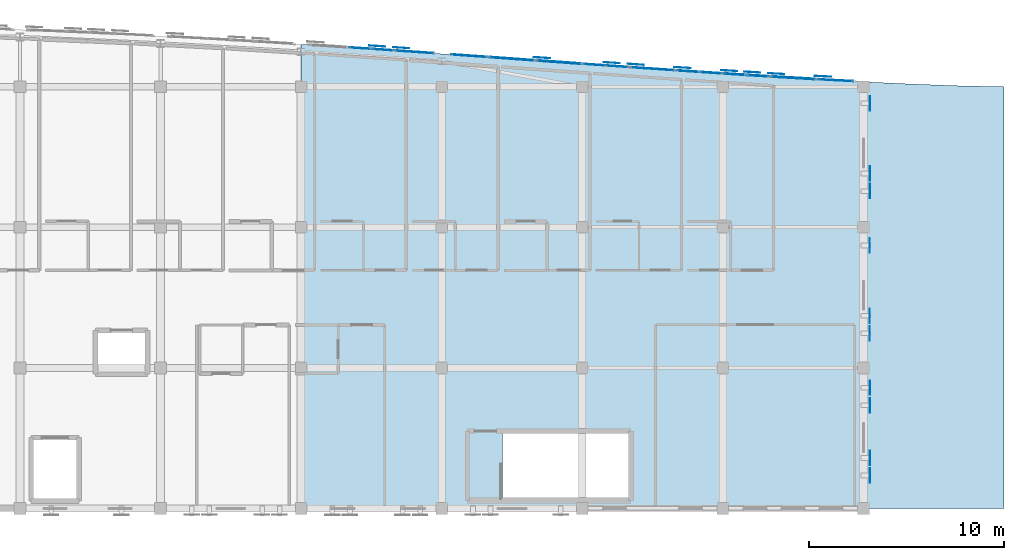
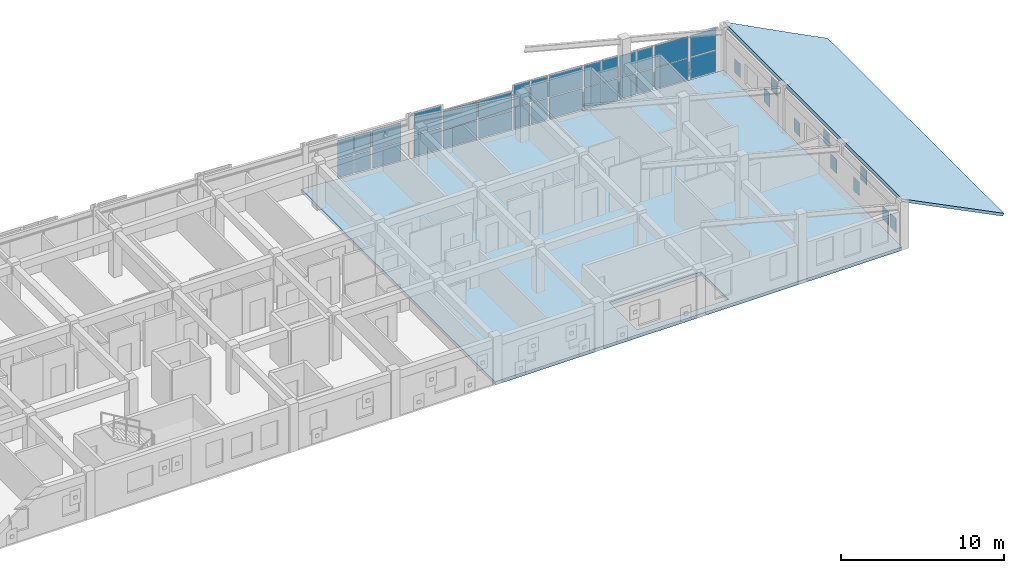
# One storey, part 32 of 45: 50 plates, 2 slabs, 11 elements without a shape of their own.
"""IFC4 building model written with IfcOpenShell, lengths in metres."""

from ifc_helpers import new_model, si_unit, direction, frame, origin, origin_2d, place, context, subcontext, project, spatial, polyline, rectangle, outline, extrude, material, layer, layer_set, type_object, element, aggregate, save


model = new_model("IFC4")

# Units and contexts
model_context = context("Model", 3, precision=1e-05, world=origin(), true_north=direction((0.0, 1.0)))
body_context = subcontext(model_context, "Body", "Model", "MODEL_VIEW")
ifc_project = project(units=[si_unit("LENGTHUNIT", "METRE"), si_unit("AREAUNIT", "SQUARE_METRE"), si_unit("VOLUMEUNIT", "CUBIC_METRE"), si_unit("PLANEANGLEUNIT", "RADIAN"), si_unit("MASSUNIT", "GRAM", prefix="KILO")], contexts=[model_context])

# Site, building, storey
site_placement = place(None, origin())
site = spatial("IfcSite", under=ifc_project, at=site_placement, CompositionType="ELEMENT")
building_placement = place(site_placement, origin())
building = spatial("IfcBuilding", under=site, at=building_placement, Name="Carrowvane Square Congress Hotel", CompositionType="ELEMENT")
storey_placement = place(building_placement, frame((0.0, 0.0, 33.60009765625)))
storey = spatial("IfcBuildingStorey", under=building, at=storey_placement, Name="L08", CompositionType="ELEMENT", Elevation=33.60009765625)

# Curtain wall, plates
ifc_material_1 = material(Name="Anodised aluminium", Category="aluminium")
ifc_layer_1 = layer(ifc_material_1, 0.24609375)
ifc_layer_set_1 = layer_set([ifc_layer_1], Name="Anodised aluminium")
curtain_wall_type_1 = type_object("IfcCurtainWallType", Name="CW-SYS-8", PredefinedType="NOTDEFINED", material=ifc_layer_set_1)
curtain_wall_1_placement = place(storey_placement, origin())
curtain_wall_1 = element("IfcCurtainWall", 1, at=curtain_wall_1_placement, inside=storey, type_object=curtain_wall_type_1, Name="L08 unitised curtain wall 495", PredefinedType="NOTDEFINED")
ifc_material_2 = material(Name="Double-glazed low-E glass", Category="glass")
ifc_layer_2 = layer(ifc_material_2, 0.028076171875)
ifc_layer_set_2 = layer_set([ifc_layer_2], Name="Double-glazed low-E glass")
plate_type_1 = type_object("IfcPlateType", Name="CW-PAN-1", PredefinedType="CURTAIN_PANEL", material=ifc_layer_set_2)
plate_1_placement = place(storey_placement, frame((129.8173828125, 115.375, 0.06982421875), z_axis=(0.0, 0.0, 1.0), x_axis=(0.99769420292, -0.067869562107, 0.0)))
plate_1 = element("IfcPlate", 2, at=plate_1_placement, type_object=plate_type_1, Name="CW-8 panel 1.1", PredefinedType="CURTAIN_PANEL", context=body_context, shape_type="SweptSolid", body=[
    extrude(rectangle(XDim=1.09765625, YDim=0.028076171875, at=origin_2d()), origin(), (0.0, 0.0, 1.0), 1.36279296875),
])
plate_2_placement = place(storey_placement, frame((129.8173828125, 115.375, 1.502685546875), z_axis=(0.0, 0.0, 1.0), x_axis=(0.99769420292, -0.067869562107, 0.0)))
plate_2 = element("IfcPlate", 3, at=plate_2_placement, type_object=plate_type_1, Name="CW-8 panel 1.2", PredefinedType="CURTAIN_PANEL", context=body_context, shape_type="SweptSolid", body=[
    extrude(rectangle(XDim=1.09765625, YDim=0.028076171875, at=origin_2d()), origin(), (0.0, 0.0, 1.0), 1.36279296875),
])
plate_3_placement = place(storey_placement, frame((130.982421875, 115.295654296875, 0.06982421875), z_axis=(0.0, 0.0, 1.0), x_axis=(0.99769420292, -0.067869562107, 0.0)))
plate_3 = element("IfcPlate", 4, at=plate_3_placement, type_object=plate_type_1, Name="CW-8 panel 2.1", PredefinedType="CURTAIN_PANEL", context=body_context, shape_type="SweptSolid", body=[
    extrude(rectangle(XDim=1.09765625, YDim=0.028076171875, at=origin_2d()), origin(), (0.0, 0.0, 1.0), 1.36279296875),
])
plate_4_placement = place(storey_placement, frame((130.982421875, 115.295654296875, 1.502685546875), z_axis=(0.0, 0.0, 1.0), x_axis=(0.99769420292, -0.067869562107, 0.0)))
plate_4 = element("IfcPlate", 5, at=plate_4_placement, type_object=plate_type_1, Name="CW-8 panel 2.2", PredefinedType="CURTAIN_PANEL", context=body_context, shape_type="SweptSolid", body=[
    extrude(rectangle(XDim=1.09765625, YDim=0.028076171875, at=origin_2d()), origin(), (0.0, 0.0, 1.0), 1.36279296875),
])
aggregate(curtain_wall_1, [plate_1, plate_2, plate_3, plate_4])

ifc_material_3 = material(Name="Anodised aluminium", Category="aluminium")
ifc_layer_3 = layer(ifc_material_3, 0.2099609375)
ifc_layer_set_3 = layer_set([ifc_layer_3], Name="Anodised aluminium")
curtain_wall_type_2 = type_object("IfcCurtainWallType", Name="CW-SYS-5", PredefinedType="NOTDEFINED", material=ifc_layer_set_3)
curtain_wall_2_placement = place(storey_placement, origin())
curtain_wall_2 = element("IfcCurtainWall", 6, at=curtain_wall_2_placement, inside=storey, type_object=curtain_wall_type_2, Name="L08 unitised curtain wall 500", PredefinedType="NOTDEFINED")
plate_5_placement = place(storey_placement, frame((141.81494140625, 114.52783203125, 0.06005859375), z_axis=(0.0, 0.0, 1.0), x_axis=(0.997505697746, -0.070585996942, 0.0)))
plate_5 = element("IfcPlate", 7, at=plate_5_placement, type_object=plate_type_1, Name="CW-5 panel 1.1", PredefinedType="CURTAIN_PANEL", context=body_context, shape_type="SweptSolid", body=[
    extrude(rectangle(XDim=1.113037109375, YDim=0.028076171875, at=origin_2d()), origin(), (0.0, 0.0, 1.0), 1.590087890625),
])
plate_6_placement = place(storey_placement, frame((141.81494140625, 114.52783203125, 1.7099609375), z_axis=(0.0, 0.0, 1.0), x_axis=(0.997505697746, -0.070585996942, 0.0)))
plate_6 = element("IfcPlate", 8, at=plate_6_placement, type_object=plate_type_1, Name="CW-5 panel 1.2", PredefinedType="CURTAIN_PANEL", context=body_context, shape_type="SweptSolid", body=[
    extrude(rectangle(XDim=1.113037109375, YDim=0.028076171875, at=origin_2d()), origin(), (0.0, 0.0, 1.0), 1.590087890625),
])
plate_7_placement = place(storey_placement, frame((142.985107421875, 114.445068359375, 0.06005859375), z_axis=(0.0, 0.0, 1.0), x_axis=(0.997505697746, -0.070585996942, 0.0)))
plate_7 = element("IfcPlate", 9, at=plate_7_placement, type_object=plate_type_1, Name="CW-5 panel 2.1", PredefinedType="CURTAIN_PANEL", context=body_context, shape_type="SweptSolid", body=[
    extrude(rectangle(XDim=1.113037109375, YDim=0.028076171875, at=origin_2d()), origin(), (0.0, 0.0, 1.0), 1.590087890625),
])
plate_8_placement = place(storey_placement, frame((142.985107421875, 114.445068359375, 1.7099609375), z_axis=(0.0, 0.0, 1.0), x_axis=(0.997505697746, -0.070585996942, 0.0)))
plate_8 = element("IfcPlate", 10, at=plate_8_placement, type_object=plate_type_1, Name="CW-5 panel 2.2", PredefinedType="CURTAIN_PANEL", context=body_context, shape_type="SweptSolid", body=[
    extrude(rectangle(XDim=1.113037109375, YDim=0.028076171875, at=origin_2d()), origin(), (0.0, 0.0, 1.0), 1.590087890625),
])
aggregate(curtain_wall_2, [plate_5, plate_6, plate_7, plate_8])

ifc_material_4 = material(Name="Anodised aluminium", Category="aluminium")
ifc_layer_4 = layer(ifc_material_4, 0.174072265625)
ifc_layer_set_4 = layer_set([ifc_layer_4], Name="Anodised aluminium")
curtain_wall_type_3 = type_object("IfcCurtainWallType", Name="CW-SYS-2", PredefinedType="NOTDEFINED", material=ifc_layer_set_4)
curtain_wall_3_placement = place(storey_placement, origin())
curtain_wall_3 = element("IfcCurtainWall", 11, at=curtain_wall_3_placement, inside=storey, type_object=curtain_wall_type_3, Name="L08 unitised curtain wall 505", PredefinedType="NOTDEFINED")
plate_9_placement = place(storey_placement, frame((154.16845703125, 113.7294921875, 0.06982421875), z_axis=(0.0, 0.0, 1.0), x_axis=(0.998566981227, -0.053516203185, 0.0)))
plate_9 = element("IfcPlate", 12, at=plate_9_placement, type_object=plate_type_1, Name="CW-2 panel 1.1", PredefinedType="CURTAIN_PANEL", context=body_context, shape_type="SweptSolid", body=[
    extrude(rectangle(XDim=1.799560546875, YDim=0.028076171875, at=origin_2d()), origin(), (0.0, 0.0, 1.0), 1.574951171875),
])
plate_10_placement = place(storey_placement, frame((154.16845703125, 113.7294921875, 1.71484375), z_axis=(0.0, 0.0, 1.0), x_axis=(0.998566981227, -0.053516203185, 0.0)))
plate_10 = element("IfcPlate", 13, at=plate_10_placement, type_object=plate_type_1, Name="CW-2 panel 1.2", PredefinedType="CURTAIN_PANEL", context=body_context, shape_type="SweptSolid", body=[
    extrude(rectangle(XDim=1.799560546875, YDim=0.028076171875, at=origin_2d()), origin(), (0.0, 0.0, 1.0), 1.574951171875),
])
aggregate(curtain_wall_3, [plate_9, plate_10])

ifc_material_5 = material(Name="Anodised aluminium", Category="aluminium")
ifc_layer_5 = layer(ifc_material_5, 0.162109375)
ifc_layer_set_5 = layer_set([ifc_layer_5], Name="Anodised aluminium")
curtain_wall_type_4 = type_object("IfcCurtainWallType", Name="CW-SYS-1", PredefinedType="NOTDEFINED", material=ifc_layer_set_5)
curtain_wall_4_placement = place(storey_placement, origin())
curtain_wall_4 = element("IfcCurtainWall", 14, at=curtain_wall_4_placement, inside=storey, type_object=curtain_wall_type_4, Name="L08 unitised curtain wall 496", PredefinedType="NOTDEFINED")
ifc_material_6 = material(Name="Double-glazed low-E glass", Category="glass")
ifc_layer_6 = layer(ifc_material_6, 0.031982421875)
ifc_layer_set_6 = layer_set([ifc_layer_6], Name="Double-glazed low-E glass")
plate_type_2 = type_object("IfcPlateType", Name="CW-PAN-2", PredefinedType="CURTAIN_PANEL", material=ifc_layer_set_6)
plate_11_placement = place(storey_placement, frame((132.621337890625, 115.182373046875, 0.06005859375), z_axis=(0.0, 0.0, 1.0), x_axis=(0.997566119277, -0.069726879118, 0.0)))
plate_11 = element("IfcPlate", 15, at=plate_11_placement, type_object=plate_type_2, Name="CW-1 panel 1.1", PredefinedType="CURTAIN_PANEL", context=body_context, shape_type="SweptSolid", body=[
    extrude(rectangle(XDim=1.927734375, YDim=0.031982421875, at=origin_2d()), origin(), (0.0, 0.0, 1.0), 1.377685546875),
])
plate_12_placement = place(storey_placement, frame((132.621337890625, 115.182373046875, 1.49755859375), z_axis=(0.0, 0.0, 1.0), x_axis=(0.997566119277, -0.069726879118, 0.0)))
plate_12 = element("IfcPlate", 16, at=plate_12_placement, type_object=plate_type_2, Name="CW-1 panel 1.2", PredefinedType="CURTAIN_PANEL", context=body_context, shape_type="SweptSolid", body=[
    extrude(rectangle(XDim=1.927734375, YDim=0.031982421875, at=origin_2d()), origin(), (0.0, 0.0, 1.0), 1.377685546875),
])
aggregate(curtain_wall_4, [plate_11, plate_12])

ifc_material_7 = material(Name="Anodised aluminium", Category="aluminium")
ifc_layer_7 = layer(ifc_material_7, 0.221923828125)
ifc_layer_set_7 = layer_set([ifc_layer_7], Name="Anodised aluminium")
curtain_wall_type_5 = type_object("IfcCurtainWallType", Name="CW-SYS-6", PredefinedType="NOTDEFINED", material=ifc_layer_set_7)
curtain_wall_5_placement = place(storey_placement, origin())
curtain_wall_5 = element("IfcCurtainWall", 17, at=curtain_wall_5_placement, inside=storey, type_object=curtain_wall_type_5, Name="L08 unitised curtain wall 501", PredefinedType="NOTDEFINED")
plate_13_placement = place(storey_placement, frame((144.800048828125, 114.318359375, 0.06982421875), z_axis=(0.0, 0.0, 1.0), x_axis=(0.997617619706, -0.068986120725, 0.0)))
plate_13 = element("IfcPlate", 18, at=plate_13_placement, type_object=plate_type_2, Name="CW-6 panel 1.1", PredefinedType="CURTAIN_PANEL", context=body_context, shape_type="SweptSolid", body=[
    extrude(rectangle(XDim=2.265625, YDim=0.031982421875, at=origin_2d()), origin(), (0.0, 0.0, 1.0), 1.574951171875),
])
plate_14_placement = place(storey_placement, frame((144.800048828125, 114.318359375, 1.71484375), z_axis=(0.0, 0.0, 1.0), x_axis=(0.997617619706, -0.068986120725, 0.0)))
plate_14 = element("IfcPlate", 19, at=plate_14_placement, type_object=plate_type_2, Name="CW-6 panel 1.2", PredefinedType="CURTAIN_PANEL", context=body_context, shape_type="SweptSolid", body=[
    extrude(rectangle(XDim=2.265625, YDim=0.031982421875, at=origin_2d()), origin(), (0.0, 0.0, 1.0), 1.574951171875),
])
aggregate(curtain_wall_5, [plate_13, plate_14])

curtain_wall_6_placement = place(storey_placement, origin())
curtain_wall_6 = element("IfcCurtainWall", 20, at=curtain_wall_6_placement, inside=storey, type_object=curtain_wall_type_3, Name="L08 unitised curtain wall 497", PredefinedType="NOTDEFINED")
ifc_material_8 = material(Name="Double-glazed low-E glass", Category="glass")
ifc_layer_8 = layer(ifc_material_8, 0.035888671875)
ifc_layer_set_8 = layer_set([ifc_layer_8], Name="Double-glazed low-E glass")
plate_type_3 = type_object("IfcPlateType", Name="CW-PAN-3", PredefinedType="CURTAIN_PANEL", material=ifc_layer_set_8)
plate_15_placement = place(storey_placement, frame((135.4052734375, 114.986083984375, 0.06982421875), z_axis=(0.0, 0.0, 1.0), x_axis=(0.997479171673, -0.070959862453, 0.0)))
plate_15 = element("IfcPlate", 21, at=plate_15_placement, type_object=plate_type_3, Name="CW-2 panel 1.1", PredefinedType="CURTAIN_PANEL", context=body_context, shape_type="SweptSolid", body=[
    extrude(rectangle(XDim=1.8544921875, YDim=0.035888671875, at=origin_2d()), origin(), (0.0, 0.0, 1.0), 1.574951171875),
])
plate_16_placement = place(storey_placement, frame((135.4052734375, 114.986083984375, 1.71484375), z_axis=(0.0, 0.0, 1.0), x_axis=(0.997479171673, -0.070959862453, 0.0)))
plate_16 = element("IfcPlate", 22, at=plate_16_placement, type_object=plate_type_3, Name="CW-2 panel 1.2", PredefinedType="CURTAIN_PANEL", context=body_context, shape_type="SweptSolid", body=[
    extrude(rectangle(XDim=1.8544921875, YDim=0.035888671875, at=origin_2d()), origin(), (0.0, 0.0, 1.0), 1.574951171875),
])
aggregate(curtain_wall_6, [plate_15, plate_16])

ifc_material_9 = material(Name="Anodised aluminium", Category="aluminium")
ifc_layer_9 = layer(ifc_material_9, 0.23388671875)
ifc_layer_set_9 = layer_set([ifc_layer_9], Name="Anodised aluminium")
curtain_wall_type_6 = type_object("IfcCurtainWallType", Name="CW-SYS-7", PredefinedType="NOTDEFINED", material=ifc_layer_set_9)
curtain_wall_7_placement = place(storey_placement, origin())
curtain_wall_7 = element("IfcCurtainWall", 23, at=curtain_wall_7_placement, inside=storey, type_object=curtain_wall_type_6, Name="L08 unitised curtain wall 502", PredefinedType="NOTDEFINED")
plate_17_placement = place(storey_placement, frame((146.614990234375, 114.1943359375, 0.06005859375), z_axis=(0.0, 0.0, 1.0), x_axis=(0.997781495544, -0.06657392244, 0.0)))
plate_17 = element("IfcPlate", 24, at=plate_17_placement, type_object=plate_type_3, Name="CW-7 panel 1.1", PredefinedType="CURTAIN_PANEL", context=body_context, shape_type="SweptSolid", body=[
    extrude(rectangle(XDim=1.112548828125, YDim=0.035888671875, at=origin_2d()), origin(), (0.0, 0.0, 1.0), 1.590087890625),
])
plate_18_placement = place(storey_placement, frame((146.614990234375, 114.1943359375, 1.7099609375), z_axis=(0.0, 0.0, 1.0), x_axis=(0.997781495544, -0.06657392244, 0.0)))
plate_18 = element("IfcPlate", 25, at=plate_18_placement, type_object=plate_type_3, Name="CW-7 panel 1.2", PredefinedType="CURTAIN_PANEL", context=body_context, shape_type="SweptSolid", body=[
    extrude(rectangle(XDim=1.112548828125, YDim=0.035888671875, at=origin_2d()), origin(), (0.0, 0.0, 1.0), 1.590087890625),
])
plate_19_placement = place(storey_placement, frame((147.784912109375, 114.116455078125, 0.06005859375), z_axis=(0.0, 0.0, 1.0), x_axis=(0.997781495544, -0.06657392244, 0.0)))
plate_19 = element("IfcPlate", 26, at=plate_19_placement, type_object=plate_type_3, Name="CW-7 panel 2.1", PredefinedType="CURTAIN_PANEL", context=body_context, shape_type="SweptSolid", body=[
    extrude(rectangle(XDim=1.112548828125, YDim=0.035888671875, at=origin_2d()), origin(), (0.0, 0.0, 1.0), 1.590087890625),
])
plate_20_placement = place(storey_placement, frame((147.784912109375, 114.116455078125, 1.7099609375), z_axis=(0.0, 0.0, 1.0), x_axis=(0.997781495544, -0.06657392244, 0.0)))
plate_20 = element("IfcPlate", 27, at=plate_20_placement, type_object=plate_type_3, Name="CW-7 panel 2.2", PredefinedType="CURTAIN_PANEL", context=body_context, shape_type="SweptSolid", body=[
    extrude(rectangle(XDim=1.112548828125, YDim=0.035888671875, at=origin_2d()), origin(), (0.0, 0.0, 1.0), 1.590087890625),
])
aggregate(curtain_wall_7, [plate_17, plate_18, plate_19, plate_20])

ifc_material_10 = material(Name="Anodised aluminium", Category="aluminium")
ifc_layer_10 = layer(ifc_material_10, 0.18603515625)
ifc_layer_set_10 = layer_set([ifc_layer_10], Name="Anodised aluminium")
curtain_wall_type_7 = type_object("IfcCurtainWallType", Name="CW-SYS-3", PredefinedType="NOTDEFINED", material=ifc_layer_set_10)
curtain_wall_8_placement = place(storey_placement, origin())
curtain_wall_8 = element("IfcCurtainWall", 28, at=curtain_wall_8_placement, inside=storey, type_object=curtain_wall_type_7, Name="L08 unitised curtain wall 498", PredefinedType="NOTDEFINED")
ifc_material_11 = material(Name="Double-glazed low-E glass", Category="glass")
ifc_layer_11 = layer(ifc_material_11, 0.0419921875)
ifc_layer_set_11 = layer_set([ifc_layer_11], Name="Double-glazed low-E glass")
plate_type_4 = type_object("IfcPlateType", Name="CW-PAN-4", PredefinedType="CURTAIN_PANEL", material=ifc_layer_set_11)
plate_21_placement = place(storey_placement, frame((137.60009765625, 114.8291015625, 0.06005859375), z_axis=(0.0, 0.0, 1.0), x_axis=(0.997438322595, -0.071531759512, 0.0)))
plate_21 = element("IfcPlate", 29, at=plate_21_placement, type_object=plate_type_4, Name="CW-3 panel 1.1", PredefinedType="CURTAIN_PANEL", context=body_context, shape_type="SweptSolid", body=[
    extrude(rectangle(XDim=2.2861328125, YDim=0.0419921875, at=origin_2d()), origin(), (0.0, 0.0, 1.0), 1.377685546875),
])
plate_22_placement = place(storey_placement, frame((137.60009765625, 114.8291015625, 1.49755859375), z_axis=(0.0, 0.0, 1.0), x_axis=(0.997438322595, -0.071531759512, 0.0)))
plate_22 = element("IfcPlate", 30, at=plate_22_placement, type_object=plate_type_4, Name="CW-3 panel 1.2", PredefinedType="CURTAIN_PANEL", context=body_context, shape_type="SweptSolid", body=[
    extrude(rectangle(XDim=2.2861328125, YDim=0.0419921875, at=origin_2d()), origin(), (0.0, 0.0, 1.0), 1.377685546875),
])
aggregate(curtain_wall_8, [plate_21, plate_22])

curtain_wall_9_placement = place(storey_placement, origin())
curtain_wall_9 = element("IfcCurtainWall", 31, at=curtain_wall_9_placement, inside=storey, type_object=curtain_wall_type_1, Name="L08 unitised curtain wall 503", PredefinedType="NOTDEFINED")
plate_23_placement = place(storey_placement, frame((149.017578125, 114.0361328125, 0.06982421875), z_axis=(0.0, 0.0, 1.0), x_axis=(0.997996225303, -0.063273487972, 0.0)))
plate_23 = element("IfcPlate", 32, at=plate_23_placement, type_object=plate_type_4, Name="CW-8 panel 1.1", PredefinedType="CURTAIN_PANEL", context=body_context, shape_type="SweptSolid", body=[
    extrude(rectangle(XDim=1.097412109375, YDim=0.0419921875, at=origin_2d()), origin(), (0.0, 0.0, 1.0), 1.574951171875),
])
plate_24_placement = place(storey_placement, frame((149.017578125, 114.0361328125, 1.71484375), z_axis=(0.0, 0.0, 1.0), x_axis=(0.997996225303, -0.063273487972, 0.0)))
plate_24 = element("IfcPlate", 33, at=plate_24_placement, type_object=plate_type_4, Name="CW-8 panel 1.2", PredefinedType="CURTAIN_PANEL", context=body_context, shape_type="SweptSolid", body=[
    extrude(rectangle(XDim=1.097412109375, YDim=0.0419921875, at=origin_2d()), origin(), (0.0, 0.0, 1.0), 1.574951171875),
])
plate_25_placement = place(storey_placement, frame((150.1826171875, 113.96240234375, 0.06982421875), z_axis=(0.0, 0.0, 1.0), x_axis=(0.997996225303, -0.063273487972, 0.0)))
plate_25 = element("IfcPlate", 34, at=plate_25_placement, type_object=plate_type_4, Name="CW-8 panel 2.1", PredefinedType="CURTAIN_PANEL", context=body_context, shape_type="SweptSolid", body=[
    extrude(rectangle(XDim=1.097412109375, YDim=0.0419921875, at=origin_2d()), origin(), (0.0, 0.0, 1.0), 1.574951171875),
])
plate_26_placement = place(storey_placement, frame((150.1826171875, 113.96240234375, 1.71484375), z_axis=(0.0, 0.0, 1.0), x_axis=(0.997996225303, -0.063273487972, 0.0)))
plate_26 = element("IfcPlate", 35, at=plate_26_placement, type_object=plate_type_4, Name="CW-8 panel 2.2", PredefinedType="CURTAIN_PANEL", context=body_context, shape_type="SweptSolid", body=[
    extrude(rectangle(XDim=1.097412109375, YDim=0.0419921875, at=origin_2d()), origin(), (0.0, 0.0, 1.0), 1.574951171875),
])
aggregate(curtain_wall_9, [plate_23, plate_24, plate_25, plate_26])

ifc_material_12 = material(Name="Anodised aluminium", Category="aluminium")
ifc_layer_12 = layer(ifc_material_12, 0.197998046875)
ifc_layer_set_12 = layer_set([ifc_layer_12], Name="Anodised aluminium")
curtain_wall_type_8 = type_object("IfcCurtainWallType", Name="CW-SYS-4", PredefinedType="NOTDEFINED", material=ifc_layer_set_12)
curtain_wall_10_placement = place(storey_placement, origin())
curtain_wall_10 = element("IfcCurtainWall", 36, at=curtain_wall_10_placement, inside=storey, type_object=curtain_wall_type_8, Name="L08 unitised curtain wall 499", PredefinedType="NOTDEFINED")
ifc_material_13 = material(Name="Double-glazed low-E glass", Category="glass")
ifc_layer_13 = layer(ifc_material_13, 0.048095703125)
ifc_layer_set_13 = layer_set([ifc_layer_13], Name="Double-glazed low-E glass")
plate_type_5 = type_object("IfcPlateType", Name="CW-PAN-5", PredefinedType="CURTAIN_PANEL", material=ifc_layer_set_13)
plate_27_placement = place(storey_placement, frame((140.0, 114.6572265625, 0.06982421875), z_axis=(0.0, 0.0, 1.0), x_axis=(0.997446152826, -0.071422490945, 0.0)))
plate_27 = element("IfcPlate", 37, at=plate_27_placement, type_object=plate_type_5, Name="CW-4 panel 1.1", PredefinedType="CURTAIN_PANEL", context=body_context, shape_type="SweptSolid", body=[
    extrude(rectangle(XDim=2.26611328125, YDim=0.048095703125, at=origin_2d()), origin(), (0.0, 0.0, 1.0), 1.36279296875),
])
plate_28_placement = place(storey_placement, frame((140.0, 114.6572265625, 1.502685546875), z_axis=(0.0, 0.0, 1.0), x_axis=(0.997446152826, -0.071422490945, 0.0)))
plate_28 = element("IfcPlate", 38, at=plate_28_placement, type_object=plate_type_5, Name="CW-4 panel 1.2", PredefinedType="CURTAIN_PANEL", context=body_context, shape_type="SweptSolid", body=[
    extrude(rectangle(XDim=2.26611328125, YDim=0.048095703125, at=origin_2d()), origin(), (0.0, 0.0, 1.0), 1.36279296875),
])
aggregate(curtain_wall_10, [plate_27, plate_28])

curtain_wall_11_placement = place(storey_placement, origin())
curtain_wall_11 = element("IfcCurtainWall", 39, at=curtain_wall_11_placement, inside=storey, type_object=curtain_wall_type_4, Name="L08 unitised curtain wall 504", PredefinedType="NOTDEFINED")
plate_29_placement = place(storey_placement, frame((152.0, 113.852294921875, 0.06005859375), z_axis=(0.0, 0.0, 1.0), x_axis=(0.99825866099, -0.058988522254, 0.0)))
plate_29 = element("IfcPlate", 40, at=plate_29_placement, type_object=plate_type_5, Name="CW-1 panel 1.1", PredefinedType="CURTAIN_PANEL", context=body_context, shape_type="SweptSolid", body=[
    extrude(rectangle(XDim=2.2841796875, YDim=0.048095703125, at=origin_2d()), origin(), (0.0, 0.0, 1.0), 1.590087890625),
])
plate_30_placement = place(storey_placement, frame((152.0, 113.852294921875, 1.7099609375), z_axis=(0.0, 0.0, 1.0), x_axis=(0.99825866099, -0.058988522254, 0.0)))
plate_30 = element("IfcPlate", 41, at=plate_30_placement, type_object=plate_type_5, Name="CW-1 panel 1.2", PredefinedType="CURTAIN_PANEL", context=body_context, shape_type="SweptSolid", body=[
    extrude(rectangle(XDim=2.2841796875, YDim=0.048095703125, at=origin_2d()), origin(), (0.0, 0.0, 1.0), 1.590087890625),
])
aggregate(curtain_wall_11, [plate_29, plate_30])

# Plates
ifc_material_14 = material(Name="Champagne-gold anodised aluminium", Category="aluminium")
ifc_layer_14 = layer(ifc_material_14, 0.011962890625)
ifc_layer_set_14 = layer_set([ifc_layer_14], Name="Champagne-gold anodised aluminium")
plate_type_6 = type_object("IfcPlateType", Name="PLT-PIX-GOLD12", PredefinedType="SHEET", material=ifc_layer_set_14)
for number, where, z_axis, x_axis, name in (
    (42, (130.700439453125, 115.481201171875, 1.58984375), (0.0, 0.0, 1.0), (0.9976944394, -0.067866085713, 0.0), "Champagne-gold pixel screen plate 802"),
    (43, (139.1357421875, 114.885498046875, 1.58984375), (0.0, 0.0, 1.0), (0.997446326449, -0.071420066188, 0.0), "Champagne-gold pixel screen plate 804"),
    (44, (143.935546875, 114.544677734375, 1.58984375), (0.0, 0.0, 1.0), (0.99761759323, -0.068986503591, 0.0), "Champagne-gold pixel screen plate 806"),
    (45, (148.734619140625, 114.220458984375, 0.119873046875), (0.0, 0.0, 1.0), (0.997996022269, -0.063276690295, 0.0), "Champagne-gold pixel screen plate 808"),
    (46, (149.899658203125, 114.146484375, 0.119873046875), (0.0, 0.0, 1.0), (0.997996022269, -0.063276690295, 0.0), "Champagne-gold pixel screen plate 809"),
    (47, (153.533203125, 113.9296875, 0.119873046875), (0.0, 0.0, 1.0), (0.998566941363, -0.053516947007, 0.0), "Champagne-gold pixel screen plate 811"),
):
    element("IfcPlate", number, at=place(storey_placement, frame(where, z_axis=z_axis, x_axis=x_axis)), inside=storey, type_object=plate_type_6, Name=name, PredefinedType="SHEET", context=body_context, shape_type="SweptSolid", body=[
        extrude(rectangle(XDim=0.827880859375, YDim=0.011962890625, at=origin_2d()), origin(), (0.0, 0.0, 1.0), 1.1201171875),
    ])
for number, where, z_axis, x_axis, name in (
    (48, (155.930908203125, 112.552734375, 0.15478515625), (0.0, 0.0, 1.0), (0.0, -1.0, 0.0), "Champagne-gold pixel screen plate S-812"),
    (49, (155.930908203125, 108.95263671875, 0.15478515625), (0.0, 0.0, 1.0), (0.0, -1.0, 0.0), "Champagne-gold pixel screen plate S-813"),
    (50, (155.930908203125, 108.052734375, 1.52001953125), (0.0, 0.0, 1.0), (0.0, -1.0, 0.0), "Champagne-gold pixel screen plate S-814"),
    (51, (155.930908203125, 97.984130859375, 0.15478515625), (0.0, 0.0, 1.0), (0.0, -1.0, 0.0), "Champagne-gold pixel screen plate S-818"),
    (52, (155.930908203125, 97.084228515625, 1.52001953125), (0.0, 0.0, 1.0), (0.0, -1.0, 0.0), "Champagne-gold pixel screen plate S-819"),
    (53, (155.930908203125, 94.38427734375, 0.15478515625), (0.0, 0.0, 1.0), (0.0, -1.0, 0.0), "Champagne-gold pixel screen plate S-820"),
    (54, (155.930908203125, 93.484130859375, 0.15478515625), (0.0, 0.0, 1.0), (0.0, -1.0, 0.0), "Champagne-gold pixel screen plate S-821"),
):
    element("IfcPlate", number, at=place(storey_placement, frame(where, z_axis=z_axis, x_axis=x_axis)), inside=storey, type_object=plate_type_6, Name=name, PredefinedType="SHEET", context=body_context, shape_type="SweptSolid", body=[
        extrude(rectangle(XDim=0.738037109375, YDim=0.011962890625, at=origin_2d()), origin(), (0.0, 0.0, 1.0), 1.050048828125),
    ])
ifc_material_15 = material(Name="Champagne-gold anodised aluminium", Category="aluminium")
ifc_layer_15 = layer(ifc_material_15, 0.008056640625)
ifc_layer_set_15 = layer_set([ifc_layer_15], Name="Champagne-gold anodised aluminium")
plate_type_7 = type_object("IfcPlateType", Name="PLT-PIX-GOLD8", PredefinedType="SHEET", material=ifc_layer_set_15)
for number, where, z_axis, x_axis, name in (
    (55, (131.930419921875, 115.39501953125, 1.58984375), (0.0, 0.0, 1.0), (0.997566258056, -0.069724893606, 0.0), "Champagne-gold pixel screen plate 803"),
    (56, (142.70068359375, 114.62939453125, 1.58984375), (0.0, 0.0, 1.0), (0.997505756275, -0.070585169822, 0.0), "Champagne-gold pixel screen plate 805"),
    (57, (146.330078125, 114.3779296875, 0.119873046875), (0.0, 0.0, 1.0), (0.997781458784, -0.066574473385, 0.0), "Champagne-gold pixel screen plate 807"),
    (58, (151.12890625, 114.068115234375, 0.119873046875), (0.0, 0.0, 1.0), (0.998258866948, -0.05898503675, 0.0), "Champagne-gold pixel screen plate 810"),
):
    element("IfcPlate", number, at=place(storey_placement, frame(where, z_axis=z_axis, x_axis=x_axis)), inside=storey, type_object=plate_type_7, Name=name, PredefinedType="SHEET", context=body_context, shape_type="SweptSolid", body=[
        extrude(rectangle(XDim=0.827880859375, YDim=0.008056640625, at=origin_2d()), origin(), (0.0, 0.0, 1.0), 1.1201171875),
    ])
for number, where, z_axis, x_axis, name in (
    (59, (155.928955078125, 105.2685546875, 0.15478515625), (0.0, 0.0, 1.0), (0.0, -1.0, 0.0), "Champagne-gold pixel screen plate S-815"),
    (60, (155.928955078125, 101.66845703125, 1.52001953125), (0.0, 0.0, 1.0), (0.0, -1.0, 0.0), "Champagne-gold pixel screen plate S-816"),
    (61, (155.928955078125, 100.7685546875, 0.15478515625), (0.0, 0.0, 1.0), (0.0, -1.0, 0.0), "Champagne-gold pixel screen plate S-817"),
):
    element("IfcPlate", number, at=place(storey_placement, frame(where, z_axis=z_axis, x_axis=x_axis)), inside=storey, type_object=plate_type_7, Name=name, PredefinedType="SHEET", context=body_context, shape_type="SweptSolid", body=[
        extrude(rectangle(XDim=0.738037109375, YDim=0.008056640625, at=origin_2d()), origin(), (0.0, 0.0, 1.0), 1.050048828125),
    ])

# Slabs
ifc_material_16 = material(Name="Concrete C35/45", Category="concrete")
ifc_layer_16 = layer(ifc_material_16, 0.239990234375)
ifc_layer_set_16 = layer_set([ifc_layer_16], Name="Concrete C35/45")
slab_type_1 = type_object("IfcSlabType", Name="SLB-FLR-240", PredefinedType="FLOOR", material=ifc_layer_set_16)
slab_1_placement = place(storey_placement, frame((0.0, 0.0, -0.239990234375)))
element("IfcSlab", 62, at=slab_1_placement, inside=storey, type_object=slab_type_1, Name="L08 Hotel Wing slab panel 3", PredefinedType="FLOOR", context=body_context, shape_type="SweptSolid", body=[
    extrude(outline(polyline([(126.800048828125, 91.800048828125), (155.60009765625, 91.800048828125), (155.60009765625, 113.65283203125), (153.199951171875, 113.78125), (150.800048828125, 113.923095703125), (148.39990234375, 114.075439453125), (146.0, 114.235595703125), (143.60009765625, 114.4013671875), (141.199951171875, 114.5712890625), (138.800048828125, 114.7431640625), (136.39990234375, 114.915283203125), (134.0, 115.0859375), (131.60009765625, 115.253662109375), (129.199951171875, 115.4169921875), (126.800048828125, 115.57421875), (126.800048828125, 91.800048828125)]), holes=[polyline([(137.1201171875, 92.300048828125), (143.60009765625, 92.300048828125), (143.60009765625, 95.659912109375), (137.1201171875, 95.659912109375), (137.1201171875, 92.300048828125)])]), origin(), (0.0, 0.0, 1.0), 0.239990234375),
])
ifc_material_17 = material(Name="Concrete C35/45", Category="concrete")
ifc_layer_17 = layer(ifc_material_17, 0.199951171875)
ifc_layer_set_17 = layer_set([ifc_layer_17], Name="Concrete C35/45")
slab_type_2 = type_object("IfcSlabType", Name="SLB-ROOF-200", PredefinedType="ROOF", material=ifc_layer_set_17)
slab_2_placement = place(storey_placement, frame((155.60009765625, 91.800048828125, 3.599853515625), z_axis=(0.447201508876, 1.676626e-06, 0.894433234208), x_axis=(0.89443323421, 0.0, -0.447201508877)))
element("IfcSlab", 63, at=slab_2_placement, inside=storey, type_object=slab_type_2, Name="L08 shallow-arc curved roof panel SLB-RF-ARC-E4", PredefinedType="ROOF", context=body_context, shape_type="SweptSolid", body=[
    extrude(outline(polyline([(0.0, 0.0), (8.049735536732975, -8.470329472543003e-22), (8.04973553673115, 21.599853515594642), (5.366344779494274, 21.651611328216603), (2.683172389746216, 21.74096679690546), (-1.84447575682028e-12, 21.852783203094283), (0.0, 0.0)])), origin(), (0.0, 0.0, -1.0), 0.199951171875),
])

save(model, "model.ifc")
